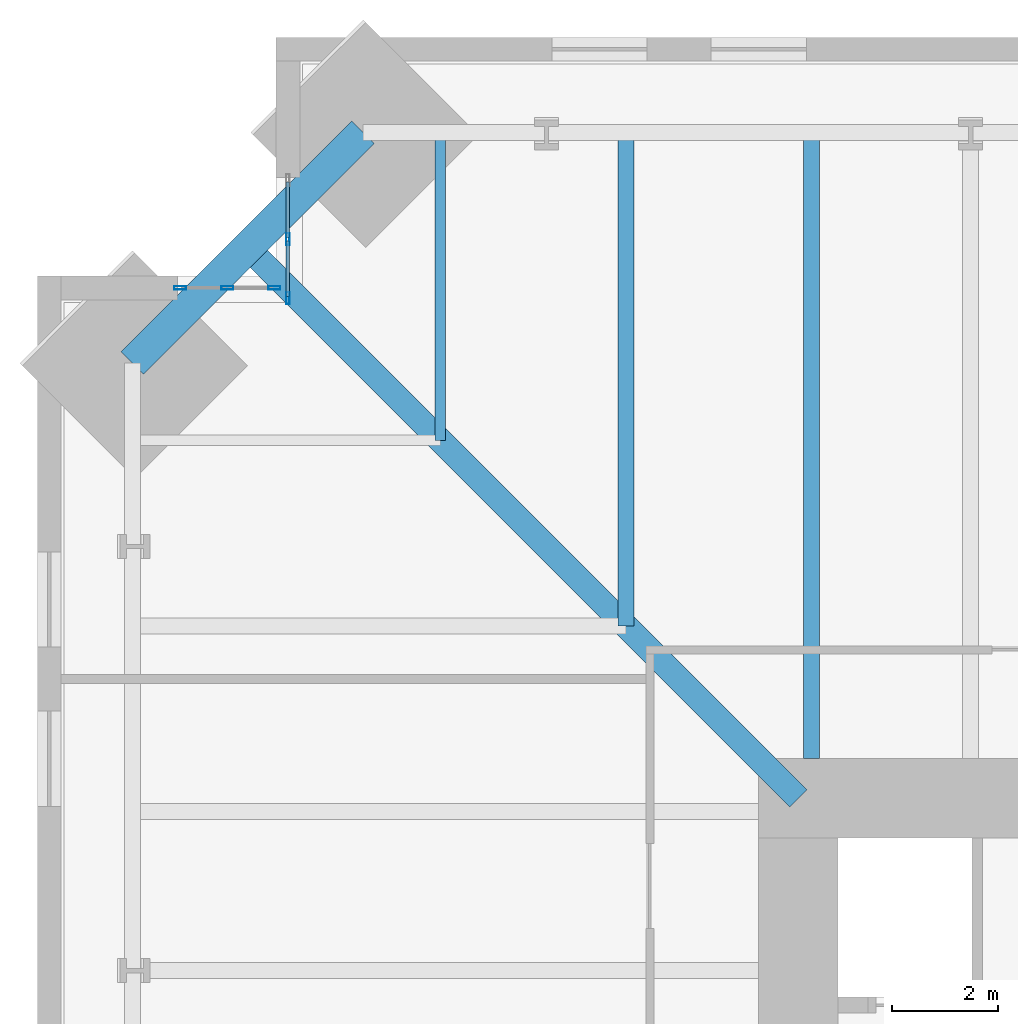
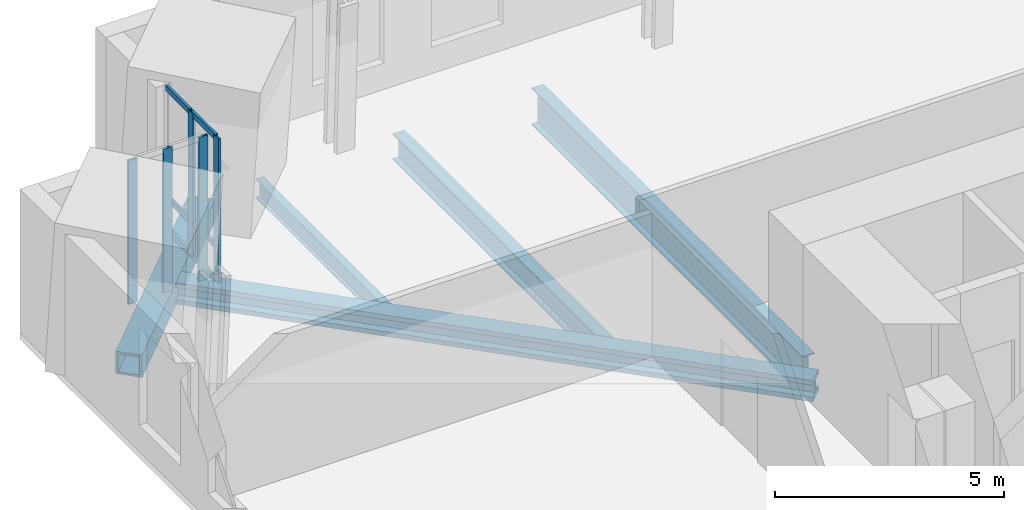
# One storey, part 6 of 18: 11 members, 5 beams, 2 elements without a shape of their own.
"""IFC4 building model written with IfcOpenShell, lengths in metres."""

import ifcopenshell
import ifcopenshell.guid

model = None  # the IFC model being written
_history = None  # IfcOwnerHistory: only IFC2X3 demands one
_inside = {}  # id of a spatial element -> (the spatial element, [elements in it])
_under = {}  # id of a project, library or spatial element -> (it, [spatial elements below it])
_declared = {}  # id of a project -> (the project, [libraries it declares])
_typed = {}  # id of a type object -> (the type object, [elements of that type])
_made_of = {}  # id of a material, layer set ... -> (it, [elements and type objects made of it])


def new_model(schema):
    """Start an empty IFC model of exactly this schema.

    Asked for "IFC4X3", IfcOpenShell would pick the latest addendum, in which some entities
    have other attributes; the version numbers below select the first issue.
    IFC2X3 requires an IfcOwnerHistory on every rooted entity: one is made here for all.
    """
    global model, _history
    if schema == "IFC4X3":
        model = ifcopenshell.file(schema_version=(4, 3, 0, 0))
    else:
        model = ifcopenshell.file(schema=schema)
    _inside.clear()
    _under.clear()
    _declared.clear()
    _typed.clear()
    _made_of.clear()
    _history = None
    if model.schema == "IFC2X3":
        org = make("IfcOrganization", Name="unknown")
        user = make(
            "IfcPersonAndOrganization",
            ThePerson=make("IfcPerson", FamilyName="unknown"),
            TheOrganization=org,
        )
        app = make(
            "IfcApplication",
            ApplicationDeveloper=org,
            Version="unknown",
            ApplicationFullName="unknown",
            ApplicationIdentifier="unknown",
        )
        _history = make(
            "IfcOwnerHistory",
            OwningUser=user,
            OwningApplication=app,
            ChangeAction="ADDED",
            CreationDate=0,
        )
    return model


def make(cls, **values):
    """One entity of the class cls with the attributes given. An attribute that is None is left unset."""
    return model.create_entity(
        cls, **{name: value for name, value in values.items() if value is not None}
    )


def rooted(cls, **values):
    """An entity with a GlobalId (a new one), such as an element, a storey or a relation."""
    return make(cls, GlobalId=ifcopenshell.guid.new(), OwnerHistory=_history, **values)


def si_unit(unit_type, name, prefix=None):
    """IfcSIUnit, for example si_unit("LENGTHUNIT", "METRE", prefix="MILLI")."""
    return make("IfcSIUnit", UnitType=unit_type, Prefix=prefix, Name=name)


def assignment(units):
    """IfcUnitAssignment: the units of a project."""
    return None if units is None else make("IfcUnitAssignment", Units=units)


def point(xyz):
    """IfcCartesianPoint."""
    return None if xyz is None else make("IfcCartesianPoint", Coordinates=xyz)


def direction(xyz):
    """IfcDirection."""
    return None if xyz is None else make("IfcDirection", DirectionRatios=xyz)


def frame(location, z_axis=None, x_axis=None):
    """IfcAxis2Placement3D, a coordinate frame: its origin and axes. An axis left out is left unset."""
    return make(
        "IfcAxis2Placement3D",
        Location=point(location),
        Axis=direction(z_axis),
        RefDirection=direction(x_axis),
    )


def frame_2d(location, x_axis=None):
    """IfcAxis2Placement2D, a coordinate frame in the plane: its origin and x axis."""
    return make(
        "IfcAxis2Placement2D", Location=point(location), RefDirection=direction(x_axis)
    )


def origin():
    """The frame at (0, 0, 0) with its axes left unset."""
    return frame((0.0, 0.0, 0.0))


def origin_2d():
    """The frame at (0, 0) in the plane with its x axis left unset."""
    return frame_2d((0.0, 0.0))


def place(relative_to, where):
    """IfcLocalPlacement: puts the frame where relative to a parent placement (None: the world)."""
    return make(
        "IfcLocalPlacement", PlacementRelTo=relative_to, RelativePlacement=where
    )


def context(
    kind, dimensions, precision=None, world=None, true_north=None, identifier=None
):
    """IfcGeometricRepresentationContext, for example the 3D "Model" context."""
    return make(
        "IfcGeometricRepresentationContext",
        ContextIdentifier=identifier,
        ContextType=kind,
        CoordinateSpaceDimension=dimensions,
        Precision=precision,
        WorldCoordinateSystem=world,
        TrueNorth=true_north,
    )


def subcontext(parent, identifier, kind, view, scale=None):
    """IfcGeometricRepresentationSubContext, for example "Body" below "Model"."""
    return make(
        "IfcGeometricRepresentationSubContext",
        ContextIdentifier=identifier,
        ContextType=kind,
        ParentContext=parent,
        TargetScale=scale,
        TargetView=view,
    )


def project(units=None, contexts=None):
    """IfcProject with its units and contexts."""
    return rooted(
        "IfcProject",
        Name="project",
        RepresentationContexts=contexts,
        UnitsInContext=assignment(units),
    )


def spatial(cls, under=None, at=None, **own):
    """A site, building, storey or space (cls), placed at a placement, below another one or the project."""
    s = rooted(cls, ObjectPlacement=at, **own)
    if under is not None:
        _under.setdefault(under.id(), (under, []))[1].append(s)
    return s


def profile(cls, at=None, kind="AREA", **sizes):
    """A parametric profile (cls). Its sizes go by their IFC names, for example OverallWidth=200.0."""
    return make(cls, ProfileType=kind, Position=at, **sizes)


def hollow_rectangle(**sizes):
    """IfcRectangleHollowProfileDef."""
    return profile("IfcRectangleHollowProfileDef", **sizes)


def i_section(**sizes):
    """IfcIShapeProfileDef."""
    return profile("IfcIShapeProfileDef", **sizes)


def extrude(swept, where, along, depth):
    """IfcExtrudedAreaSolid: the profile swept, set in the frame where, extruded along a direction by depth."""
    return make(
        "IfcExtrudedAreaSolid",
        SweptArea=swept,
        Position=where,
        ExtrudedDirection=direction(along),
        Depth=depth,
    )


def shape(context_of_items, identifier, shape_type, items):
    """IfcShapeRepresentation: the items that make up one representation, for example the "Body"."""
    return make(
        "IfcShapeRepresentation",
        ContextOfItems=context_of_items,
        RepresentationIdentifier=identifier,
        RepresentationType=shape_type,
        Items=items,
    )


def material(Name=None, Category=None):
    """IfcMaterial."""
    return make("IfcMaterial", Name=Name, Category=Category)


def material_profile(
    of_material, cross_section, Name=None, Category=None, Priority=None
):
    """IfcMaterialProfile: a cross section and its material."""
    return make(
        "IfcMaterialProfile",
        Name=Name,
        Material=of_material,
        Profile=cross_section,
        Priority=Priority,
        Category=Category,
    )


def profile_set(profiles, Name=None, composite=None):
    """IfcMaterialProfileSet."""
    return make(
        "IfcMaterialProfileSet",
        Name=Name,
        MaterialProfiles=profiles,
        CompositeProfile=composite,
    )


def made_of(thing, what):
    """Note that an element or type object is made of a material, layer set ...; save() writes the relation."""
    if what is not None:
        _made_of.setdefault(what.id(), (what, []))[1].append(thing)
    return thing


def type_object(cls, material=None, **own):
    """A type object (cls), such as IfcWallType, which elements share."""
    return made_of(rooted(cls, **own), material)


def element(
    cls,
    number,
    at=None,
    inside=None,
    cuts=None,
    type_object=None,
    material=None,
    context=None,
    identifier="Body",
    shape_type=None,
    held_by="IfcProductDefinitionShape",
    body=None,
    shapes=None,
    **own,
):
    """One element of the class cls, such as IfcWall. Its Tag is "e" and its number.

    at: its placement. inside: the storey or other place that contains it. cuts: it is an
    opening in that element (IfcRelVoidsElement). A single representation is given by context,
    identifier, shape_type and body (its items); several are given by shapes. held_by: the class
    of the entity that holds the representations. save() writes the other relations.
    """
    e = rooted(cls, Tag="e%d" % number, ObjectPlacement=at, **own)
    if body is not None:
        shapes = [shape(context, identifier, shape_type, body)]
    if shapes is not None:
        e.Representation = make(held_by, Representations=shapes)
    if inside is not None:
        _inside.setdefault(inside.id(), (inside, []))[1].append(e)
    if cuts is not None:
        rooted(
            "IfcRelVoidsElement", RelatingBuildingElement=cuts, RelatedOpeningElement=e
        )
    if type_object is not None:
        _typed.setdefault(type_object.id(), (type_object, []))[1].append(e)
    return made_of(e, material)


def aggregate(whole, parts):
    """IfcRelAggregates: a whole, such as a stair, and the parts it consists of."""
    return rooted("IfcRelAggregates", RelatingObject=whole, RelatedObjects=parts)


def save(model, path):
    """Write the relations noted so far, then the file.

    IfcRelAggregates (storeys below a building ...), IfcRelContainedInSpatialStructure (elements
    in a storey), IfcRelDefinesByType, IfcRelAssociatesMaterial and IfcRelDeclares: one each for
    every whole, place, type object, material and project.
    """
    for whole, parts in _under.values():
        aggregate(whole, parts)
    for where, things in _inside.values():
        rooted(
            "IfcRelContainedInSpatialStructure",
            RelatedElements=things,
            RelatingStructure=where,
        )
    for kind, things in _typed.values():
        rooted("IfcRelDefinesByType", RelatedObjects=things, RelatingType=kind)
    for what, things in _made_of.values():
        rooted("IfcRelAssociatesMaterial", RelatedObjects=things, RelatingMaterial=what)
    for by, libraries in _declared.values():
        rooted("IfcRelDeclares", RelatingContext=by, RelatedDefinitions=libraries)
    model.write(path)


model = new_model("IFC4")

# Units and contexts
model_context = context("Model", 3, precision=1e-05, world=origin(), true_north=direction((0.0, 1.0)))
body_context = subcontext(model_context, "Body", "Model", "MODEL_VIEW")
ifc_project = project(units=[si_unit("LENGTHUNIT", "METRE"), si_unit("AREAUNIT", "SQUARE_METRE"), si_unit("VOLUMEUNIT", "CUBIC_METRE"), si_unit("PLANEANGLEUNIT", "RADIAN"), si_unit("MASSUNIT", "GRAM", prefix="KILO")], contexts=[model_context])

# Site, building, storey
site_placement = place(None, origin())
site = spatial("IfcSite", under=ifc_project, at=site_placement, CompositionType="ELEMENT")
building_placement = place(site_placement, origin())
building = spatial("IfcBuilding", under=site, at=building_placement, Name="Peilmerk Tower", CompositionType="ELEMENT")
storey_placement = place(building_placement, frame((0.0, 0.0, 175.800048828125)))
storey = spatial("IfcBuildingStorey", under=building, at=storey_placement, Name="L37", CompositionType="ELEMENT", Elevation=175.800048828125)

# Beams
ifc_material_1 = material(Name="Steel S355", Category="steel")
ifc_material_profile_1 = material_profile(ifc_material_1, i_section(OverallWidth=0.300048828125, OverallDepth=0.989990234375, WebThickness=0.0166015625, FlangeThickness=0.031005859375, at=origin_2d()), Name="HEA 1000")
ifc_profile_set_1 = profile_set([ifc_material_profile_1], Name="Steel S355")
beam_type_1 = type_object("IfcBeamType", Name="B14 HEA 1000 floor girder", PredefinedType="BEAM", material=ifc_profile_set_1)
beam_1_placement = place(storey_placement, frame((-11.0, 12.0, -0.6650390625), z_axis=(0.0, 1.0, 0.0), x_axis=(-1.0, 0.0, 0.0)))
element("IfcBeam", 1, at=beam_1_placement, inside=storey, type_object=beam_type_1, Name="Floor beam L37", PredefinedType="BEAM", context=body_context, shape_type="SweptSolid", body=[
    extrude(i_section(OverallWidth=0.300048828125, OverallDepth=0.989990234375, WebThickness=0.0166015625, FlangeThickness=0.031005859375, at=origin_2d()), origin(), (0.0, 0.0, 1.0), 11.80810546875),
])
ifc_material_profile_2 = material_profile(ifc_material_1, i_section(OverallWidth=0.300048828125, OverallDepth=0.68994140625, WebThickness=0.014404296875, FlangeThickness=0.027099609375, at=origin_2d()), Name="HEA 700")
ifc_profile_set_2 = profile_set([ifc_material_profile_2], Name="Steel S355")
beam_type_2 = type_object("IfcBeamType", Name="B16 HEA 700 floor beam", PredefinedType="BEAM", material=ifc_profile_set_2)
beam_2_placement = place(storey_placement, frame((-14.5, 14.5, -0.51513671875), z_axis=(0.0, 1.0, 0.0), x_axis=(-1.0, 0.0, 0.0)))
element("IfcBeam", 2, at=beam_2_placement, inside=storey, type_object=beam_type_2, Name="Floor beam L37", PredefinedType="BEAM", context=body_context, shape_type="SweptSolid", body=[
    extrude(i_section(OverallWidth=0.300048828125, OverallDepth=0.68994140625, WebThickness=0.014404296875, FlangeThickness=0.027099609375, at=origin_2d()), origin(), (0.0, 0.0, 1.0), 9.30810546875),
])
ifc_material_2 = material(Name="Steel S460", Category="steel")
ifc_material_profile_3 = material_profile(ifc_material_2, hollow_rectangle(XDim=0.60009765625, YDim=0.60009765625, WallThickness=0.06005859375, at=origin_2d()), Name="BOX 600x600x60")
ifc_profile_set_3 = profile_set([ifc_material_profile_3], Name="Steel S460")
beam_type_3 = type_object("IfcBeamType", Name="B20 BOX 600x600x60 notch beam", PredefinedType="SPANDREL", material=ifc_profile_set_3)
beam_3_placement = place(storey_placement, frame((-23.80810546875, 19.4580078125, -0.469970703125), z_axis=(0.707106781187, 0.707106781187, 0.0), x_axis=(-0.707106781187, 0.707106781187, 0.0)))
element("IfcBeam", 3, at=beam_3_placement, inside=storey, type_object=beam_type_3, Name="Notch beam L37", PredefinedType="SPANDREL", context=body_context, shape_type="SweptSolid", body=[
    extrude(hollow_rectangle(XDim=0.60009765625, YDim=0.60009765625, WallThickness=0.06005859375, at=origin_2d()), origin(), (0.0, 0.0, 1.0), 6.15185546875),
])
ifc_material_profile_4 = material_profile(ifc_material_1, i_section(OverallWidth=0.199951171875, OverallDepth=0.5, WebThickness=0.01025390625, FlangeThickness=0.01611328125, at=origin_2d()), Name="IPE 500")
ifc_profile_set_4 = profile_set([ifc_material_profile_4], Name="Steel S355")
beam_type_4 = type_object("IfcBeamType", Name="B32 IPE 500 floor beam", PredefinedType="BEAM", material=ifc_profile_set_4)
beam_4_placement = place(storey_placement, frame((-18.0, 18.0, -0.420166015625), z_axis=(0.0, 1.0, 0.0), x_axis=(-1.0, 0.0, 0.0)))
element("IfcBeam", 4, at=beam_4_placement, inside=storey, type_object=beam_type_4, Name="Floor beam L37", PredefinedType="BEAM", context=body_context, shape_type="SweptSolid", body=[
    extrude(i_section(OverallWidth=0.199951171875, OverallDepth=0.5, WebThickness=0.01025390625, FlangeThickness=0.01611328125, at=origin_2d()), origin(), (0.0, 0.0, 1.0), 5.80810546875),
])
ifc_material_profile_5 = material_profile(ifc_material_2, i_section(OverallWidth=0.4541015625, OverallDepth=0.569091796875, WebThickness=0.077880859375, FlangeThickness=0.125, at=origin_2d()), Name="HD 400x1086")
ifc_profile_set_5 = profile_set([ifc_material_profile_5], Name="Steel S460")
beam_type_5 = type_object("IfcBeamType", Name="B9 HD 400x1086 corner girder", PredefinedType="BEAM", material=ifc_profile_set_5)
beam_5_placement = place(storey_placement, frame((-11.25, 11.25, -0.45458984375), z_axis=(-0.707106781187, 0.707106781187, 0.0), x_axis=(-0.707106781187, -0.707106781187, 0.0)))
element("IfcBeam", 5, at=beam_5_placement, inside=storey, type_object=beam_type_5, Name="Corner girder L37", PredefinedType="BEAM", context=body_context, shape_type="SweptSolid", body=[
    extrude(i_section(OverallWidth=0.4541015625, OverallDepth=0.569091796875, WebThickness=0.077880859375, FlangeThickness=0.125, at=origin_2d()), origin(), (0.0, 0.0, 1.0), 14.683837890625),
])

# Curtain wall, members
ifc_material_3 = material(Name="Aluminium stick curtain wall", Category="aluminium")
curtain_wall_type = type_object("IfcCurtainWallType", Name="CW3 stick curtain wall, 2250 module", PredefinedType="NOTDEFINED", material=ifc_material_3)
curtain_wall_1_placement = place(storey_placement, origin())
curtain_wall_1 = element("IfcCurtainWall", 6, at=curtain_wall_1_placement, inside=storey, type_object=curtain_wall_type, Name="Curtain wall CW3 NWA L37", PredefinedType="NOTDEFINED")
ifc_material_4 = material(Name="Aluminium EN AW-6063 T6", Category="aluminium")
ifc_material_profile_6 = material_profile(ifc_material_4, hollow_rectangle(XDim=0.06494140625, YDim=0.22509765625, WallThickness=0.00390625, at=origin_2d()), Name="AL 225x65x4")
ifc_profile_set_6 = profile_set([ifc_material_profile_6], Name="Aluminium EN AW-6063 T6")
member_type_1 = type_object("IfcMemberType", Name="CW3-M AL 225x65x4 mullion", PredefinedType="MULLION", material=ifc_profile_set_6)
member_1_placement = place(storey_placement, frame((-20.875, 20.6826171875, 0.0), z_axis=(0.0, 0.0, 1.0), x_axis=(-1.0, 0.0, 0.0)))
member_1 = element("IfcMember", 7, at=member_1_placement, type_object=member_type_1, Name="CW3 mullion 1", PredefinedType="MULLION", context=body_context, shape_type="SweptSolid", body=[
    extrude(hollow_rectangle(XDim=0.06494140625, YDim=0.22509765625, WallThickness=0.00390625, at=origin_2d()), origin(), (0.0, 0.0, 1.0), 3.829833984375),
])
member_2_placement = place(storey_placement, frame((-20.875, 21.79443359375, 0.0), z_axis=(0.0, 0.0, 1.0), x_axis=(-1.0, 0.0, 0.0)))
member_2 = element("IfcMember", 8, at=member_2_placement, type_object=member_type_1, Name="CW3 mullion 2", PredefinedType="MULLION", context=body_context, shape_type="SweptSolid", body=[
    extrude(hollow_rectangle(XDim=0.06494140625, YDim=0.22509765625, WallThickness=0.00390625, at=origin_2d()), origin(), (0.0, 0.0, 1.0), 3.829833984375),
])

curtain_wall_2_placement = place(storey_placement, origin())
curtain_wall_2 = element("IfcCurtainWall", 9, at=curtain_wall_2_placement, inside=storey, type_object=curtain_wall_type, Name="Curtain wall CW3 NWB L37", PredefinedType="NOTDEFINED")
member_3_placement = place(storey_placement, frame((-21.132568359375, 20.875, 0.0), z_axis=(0.0, 0.0, 1.0), x_axis=(0.0, -1.0, 0.0)))
member_3 = element("IfcMember", 10, at=member_3_placement, type_object=member_type_1, Name="CW3 mullion 1", PredefinedType="MULLION", context=body_context, shape_type="SweptSolid", body=[
    extrude(hollow_rectangle(XDim=0.06494140625, YDim=0.22509765625, WallThickness=0.00390625, at=origin_2d()), origin(), (0.0, 0.0, 1.0), 3.829833984375),
])
member_4_placement = place(storey_placement, frame((-22.019287109375, 20.875, 0.0), z_axis=(0.0, 0.0, 1.0), x_axis=(0.0, -1.0, 0.0)))
member_4 = element("IfcMember", 11, at=member_4_placement, type_object=member_type_1, Name="CW3 mullion 2", PredefinedType="MULLION", context=body_context, shape_type="SweptSolid", body=[
    extrude(hollow_rectangle(XDim=0.06494140625, YDim=0.22509765625, WallThickness=0.00390625, at=origin_2d()), origin(), (0.0, 0.0, 1.0), 3.829833984375),
])
member_5_placement = place(storey_placement, frame((-22.90625, 20.875, 0.0), z_axis=(0.0, 0.0, 1.0), x_axis=(0.0, -1.0, 0.0)))
member_5 = element("IfcMember", 12, at=member_5_placement, type_object=member_type_1, Name="CW3 mullion 3", PredefinedType="MULLION", context=body_context, shape_type="SweptSolid", body=[
    extrude(hollow_rectangle(XDim=0.06494140625, YDim=0.22509765625, WallThickness=0.00390625, at=origin_2d()), origin(), (0.0, 0.0, 1.0), 3.829833984375),
])
aggregate(curtain_wall_2, [member_3, member_4, member_5])

# Member
ifc_material_profile_7 = material_profile(ifc_material_4, hollow_rectangle(XDim=0.06494140625, YDim=0.14990234375, WallThickness=0.0029296875, at=origin_2d()), Name="AL 150x65x3")
ifc_profile_set_7 = profile_set([ifc_material_profile_7], Name="Aluminium EN AW-6063 T6")
member_type_2 = type_object("IfcMemberType", Name="CW3-T AL 150x65x3 transom", PredefinedType="USERDEFINED", material=ifc_profile_set_7)
member_6_placement = place(storey_placement, frame((-20.875, 20.715087890625, 0.032470703125), z_axis=(0.0, 1.0, 0.0), x_axis=(-1.0, 0.0, 0.0)))
member_6 = element("IfcMember", 13, at=member_6_placement, type_object=member_type_2, Name="CW3 transom 1.1", ObjectType="TRANSOM", PredefinedType="USERDEFINED", context=body_context, shape_type="SweptSolid", body=[
    extrude(hollow_rectangle(XDim=0.06494140625, YDim=0.14990234375, WallThickness=0.0029296875, at=origin_2d()), origin(), (0.0, 0.0, 1.0), 1.046630859375),
])

member_7_placement = place(storey_placement, frame((-20.875, 20.715087890625, 0.89990234375), z_axis=(0.0, 1.0, 0.0), x_axis=(-1.0, 0.0, 0.0)))
member_7 = element("IfcMember", 14, at=member_7_placement, type_object=member_type_2, Name="CW3 transom 1.2", ObjectType="TRANSOM", PredefinedType="USERDEFINED", context=body_context, shape_type="SweptSolid", body=[
    extrude(hollow_rectangle(XDim=0.06494140625, YDim=0.14990234375, WallThickness=0.0029296875, at=origin_2d()), origin(), (0.0, 0.0, 1.0), 1.046630859375),
])

member_8_placement = place(storey_placement, frame((-20.875, 20.715087890625, 3.79736328125), z_axis=(0.0, 1.0, 0.0), x_axis=(-1.0, 0.0, 0.0)))
member_8 = element("IfcMember", 15, at=member_8_placement, type_object=member_type_2, Name="CW3 transom 1.3", ObjectType="TRANSOM", PredefinedType="USERDEFINED", context=body_context, shape_type="SweptSolid", body=[
    extrude(hollow_rectangle(XDim=0.06494140625, YDim=0.14990234375, WallThickness=0.0029296875, at=origin_2d()), origin(), (0.0, 0.0, 1.0), 1.046630859375),
])

member_9_placement = place(storey_placement, frame((-20.875, 21.826904296875, 0.032470703125), z_axis=(0.0, 1.0, 0.0), x_axis=(-1.0, 0.0, 0.0)))
member_9 = element("IfcMember", 16, at=member_9_placement, type_object=member_type_2, Name="CW3 transom 2.1", ObjectType="TRANSOM", PredefinedType="USERDEFINED", context=body_context, shape_type="SweptSolid", body=[
    extrude(hollow_rectangle(XDim=0.06494140625, YDim=0.14990234375, WallThickness=0.0029296875, at=origin_2d()), origin(), (0.0, 0.0, 1.0), 1.046875),
])

member_10_placement = place(storey_placement, frame((-20.875, 21.826904296875, 0.89990234375), z_axis=(0.0, 1.0, 0.0), x_axis=(-1.0, 0.0, 0.0)))
member_10 = element("IfcMember", 17, at=member_10_placement, type_object=member_type_2, Name="CW3 transom 2.2", ObjectType="TRANSOM", PredefinedType="USERDEFINED", context=body_context, shape_type="SweptSolid", body=[
    extrude(hollow_rectangle(XDim=0.06494140625, YDim=0.14990234375, WallThickness=0.0029296875, at=origin_2d()), origin(), (0.0, 0.0, 1.0), 1.046875),
])

member_11_placement = place(storey_placement, frame((-20.875, 21.826904296875, 3.79736328125), z_axis=(0.0, 1.0, 0.0), x_axis=(-1.0, 0.0, 0.0)))
member_11 = element("IfcMember", 18, at=member_11_placement, type_object=member_type_2, Name="CW3 transom 2.3", ObjectType="TRANSOM", PredefinedType="USERDEFINED", context=body_context, shape_type="SweptSolid", body=[
    extrude(hollow_rectangle(XDim=0.06494140625, YDim=0.14990234375, WallThickness=0.0029296875, at=origin_2d()), origin(), (0.0, 0.0, 1.0), 1.046875),
])

aggregate(curtain_wall_1, [member_1, member_2, member_6, member_7, member_8, member_9, member_10, member_11])

save(model, "model.ifc")
